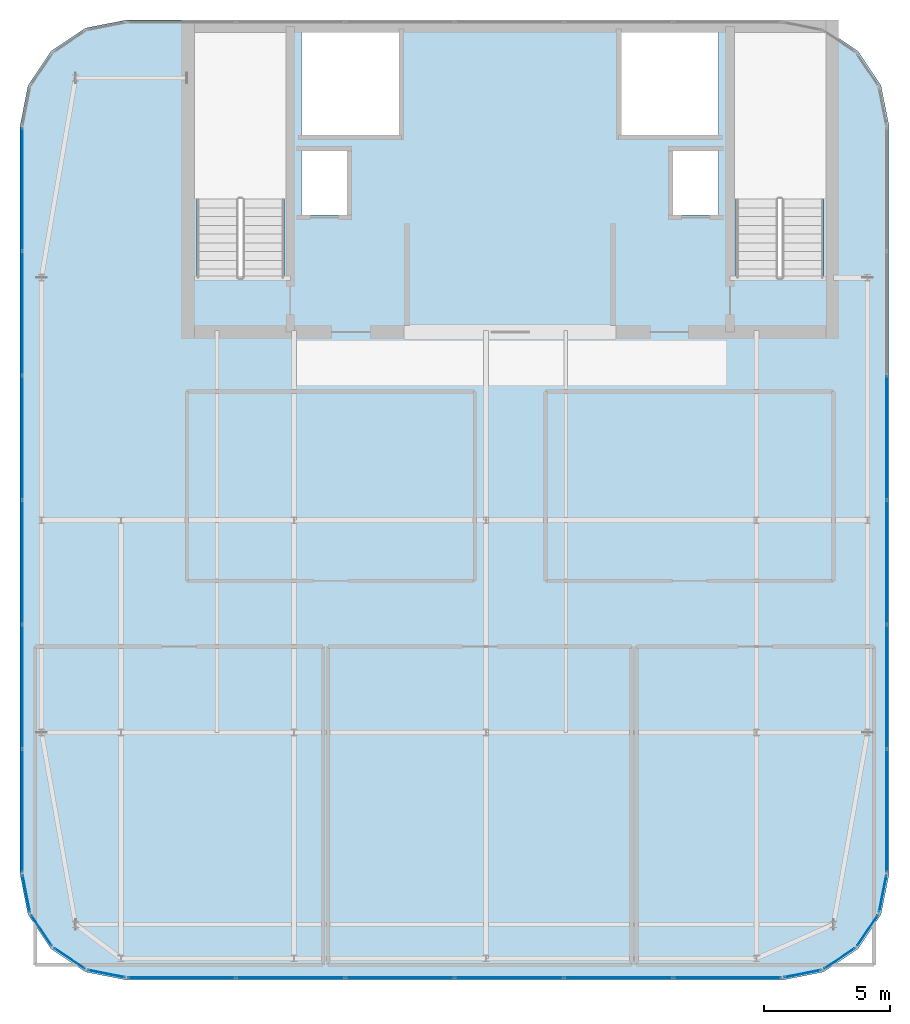
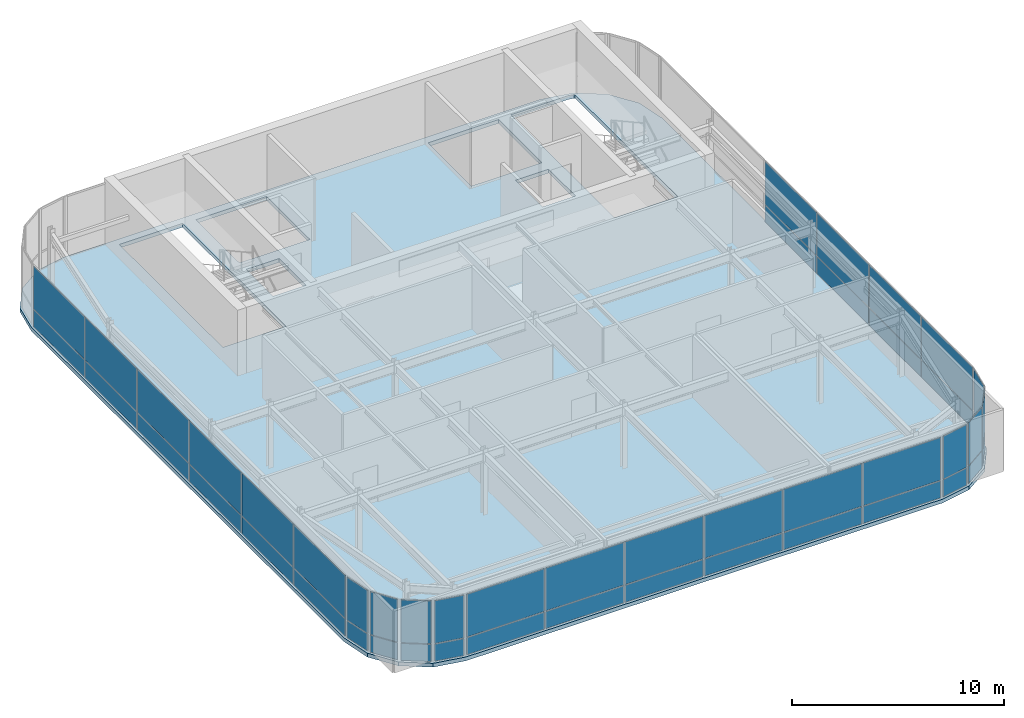
# One storey, part 29 of 36: 48 plates, 1 slab, 11 elements without a shape of their own.
"""IFC4 building model written with IfcOpenShell, lengths in metres."""

from ifc_helpers import new_model, si_unit, direction, frame, origin, origin_2d, place, context, subcontext, project, spatial, polyline, rectangle, outline, extrude, source, transform, mapped, material, layer, layer_set, type_object, type_shapes, element, aggregate, save


model = new_model("IFC4")

# Units and contexts
model_context = context("Model", 3, precision=1e-05, world=origin(), true_north=direction((0.0, 1.0)))
body_context = subcontext(model_context, "Body", "Model", "MODEL_VIEW")
ifc_project = project(units=[si_unit("LENGTHUNIT", "METRE"), si_unit("AREAUNIT", "SQUARE_METRE"), si_unit("VOLUMEUNIT", "CUBIC_METRE"), si_unit("PLANEANGLEUNIT", "RADIAN"), si_unit("MASSUNIT", "GRAM", prefix="KILO")], contexts=[model_context])

# Site, building, storey
site_placement = place(None, origin())
site = spatial("IfcSite", under=ifc_project, at=site_placement, CompositionType="ELEMENT")
building_placement = place(site_placement, origin())
building = spatial("IfcBuilding", under=site, at=building_placement, Name="Tolvann Quenvar Hotel", CompositionType="ELEMENT")
storey_placement = place(building_placement, frame((0.0, 0.0, 306.14990234375)))
storey = spatial("IfcBuildingStorey", under=building, at=storey_placement, Name="L81", CompositionType="ELEMENT", Elevation=306.14990234375)

# Slab
ifc_material_1 = material(Name="Concrete N50 (50 MPa)", Category="concrete")
ifc_layer_1 = layer(ifc_material_1, 0.219970703125)
ifc_layer_set_1 = layer_set([ifc_layer_1], Name="Concrete N50 (50 MPa)")
slab_type = type_object("IfcSlabType", Name="SLAB_UPR_220", PredefinedType="FLOOR", material=ifc_layer_set_1)
slab_placement = place(storey_placement, frame((0.0, 0.0, -0.219970703125)))
element("IfcSlab", 1, at=slab_placement, inside=storey, type_object=slab_type, Name="Level L81 Structural Floor Slab", PredefinedType="FLOOR", context=body_context, shape_type="SweptSolid", body=[
    extrude(outline(polyline([(3.60009765625, 10.39990234375), (3.919677734375, 8.792724609375), (4.830078125, 7.43017578125), (6.192626953125, 6.519775390625), (7.800048828125, 6.199951171875), (33.800048828125, 6.199951171875), (35.4072265625, 6.519775390625), (36.769775390625, 7.43017578125), (37.680419921875, 8.792724609375), (38.0, 10.39990234375), (38.0, 40.0), (37.680419921875, 41.607421875), (36.769775390625, 42.9697265625), (35.4072265625, 43.88037109375), (33.800048828125, 44.199951171875), (7.800048828125, 44.199951171875), (6.192626953125, 43.88037109375), (4.830078125, 42.9697265625), (3.919677734375, 41.607421875), (3.60009765625, 40.0), (3.60009765625, 10.39990234375)]), holes=[polyline([(35.093505859375, 43.800048828125), (35.352783203125, 43.748291015625), (35.39990234375, 43.716796875), (35.39990234375, 34.02490234375), (31.949951171875, 34.02490234375), (31.949951171875, 43.800048828125), (35.093505859375, 43.800048828125)]), polyline([(29.449951171875, 36.47998046875), (29.449951171875, 39.02001953125), (31.25, 39.02001953125), (31.25, 36.47998046875), (29.449951171875, 36.47998046875)]), polyline([(27.39990234375, 39.64990234375), (27.39990234375, 43.75), (31.25, 43.75), (31.25, 39.64990234375), (27.39990234375, 39.64990234375)]), polyline([(14.75, 39.64990234375), (14.75, 43.75), (18.60009765625, 43.75), (18.60009765625, 39.64990234375), (14.75, 39.64990234375)]), polyline([(16.550048828125, 36.47998046875), (14.75, 36.47998046875), (14.75, 39.02001953125), (16.550048828125, 39.02001953125), (16.550048828125, 36.47998046875)]), polyline([(14.050048828125, 34.02490234375), (10.60009765625, 34.02490234375), (10.60009765625, 43.800048828125), (14.050048828125, 43.800048828125), (14.050048828125, 34.02490234375)])]), origin(), (0.0, 0.0, 1.0), 0.219970703125),
])

# Curtain wall, plate
ifc_material_2 = material(Name="Thermally broken anodised architectural aluminium 6063-T6 and laminated low-E glass", Category="aluminium")
ifc_layer_2 = layer(ifc_material_2, 0.179931640625)
ifc_layer_set_2 = layer_set([ifc_layer_2], Name="Thermally broken anodised architectural aluminium 6063-T6 and laminated low-E glass")
curtain_wall_type = type_object("IfcCurtainWallType", Name="CW_SYS_LANT_06", PredefinedType="USERDEFINED", material=ifc_layer_set_2)
curtain_wall_1_placement = place(storey_placement, origin())
curtain_wall_1 = element("IfcCurtainWall", 2, at=curtain_wall_1_placement, inside=storey, type_object=curtain_wall_type, Name="Curtain Wall CW-LANT-06 (CWR-L81-E01)", ObjectType="UNITISED CURTAIN WALL", PredefinedType="USERDEFINED")
ifc_material_3 = material(Name="Diffused translucent ceramic-frit laminated lantern glass", Category="glass")
ifc_layer_3 = layer(ifc_material_3, 0.031982421875)
ifc_layer_set_3 = layer_set([ifc_layer_3], Name="Diffused translucent ceramic-frit laminated lantern glass")
plate_type = type_object("IfcPlateType", Name="CW_PAN_LANT_32", PredefinedType="CURTAIN_PANEL", material=ifc_layer_set_3)
shared_shape_1 = source(origin(), body_context, "Body", "SweptSolid", [
    extrude(rectangle(XDim=1.439208984375, YDim=0.031982421875, at=origin_2d()), origin(), (0.0, 0.0, 1.0), 0.97509765625),
])
plate_1_placement = place(storey_placement, frame((4.44970703125, 8.16162109375, 0.050048828125), z_axis=(0.0, 0.0, 1.0), x_axis=(0.555655769644, -0.831412452193, 0.0)))
plate_1 = element("IfcPlate", 3, at=plate_1_placement, type_object=plate_type, Name="CW-LANT-06 panel 1.1", PredefinedType="CURTAIN_PANEL", context=body_context, shape_type="MappedRepresentation", body=[
    mapped(shared_shape_1, transform((0.0, 0.0, 0.0), x_axis=(1.0, 0.0, 0.0), y_axis=(0.0, 1.0, 0.0), z_axis=(0.0, 0.0, 1.0), scale=1.0)),
])

curtain_wall_2_placement = place(storey_placement, origin())
curtain_wall_2 = element("IfcCurtainWall", 4, at=curtain_wall_2_placement, inside=storey, type_object=curtain_wall_type, Name="Curtain Wall CW-LANT-06 (CWR-L81-E02)", ObjectType="UNITISED CURTAIN WALL", PredefinedType="USERDEFINED")
plate_2_placement = place(storey_placement, frame((5.5615234375, 7.0498046875, 0.050048828125), z_axis=(0.0, 0.0, 1.0), x_axis=(0.831412452193, -0.555655769644, 0.0)))
plate_2 = element("IfcPlate", 5, at=plate_2_placement, type_object=plate_type, Name="CW-LANT-06 panel 1.1", PredefinedType="CURTAIN_PANEL", context=body_context, shape_type="MappedRepresentation", body=[
    mapped(shared_shape_1, transform((0.0, 0.0, 0.0), x_axis=(1.0, 0.0, 0.0), y_axis=(0.0, 1.0, 0.0), z_axis=(0.0, 0.0, 1.0), scale=1.0)),
])

curtain_wall_3_placement = place(storey_placement, origin())
curtain_wall_3 = element("IfcCurtainWall", 6, at=curtain_wall_3_placement, inside=storey, type_object=curtain_wall_type, Name="Curtain Wall CW-LANT-06 (CWR-L81-E06)", ObjectType="UNITISED CURTAIN WALL", PredefinedType="USERDEFINED")
plate_3_placement = place(storey_placement, frame((36.03857421875, 7.0498046875, 0.050048828125), z_axis=(0.0, 0.0, 1.0), x_axis=(0.831412452193, 0.555655769644, 0.0)))
plate_3 = element("IfcPlate", 7, at=plate_3_placement, type_object=plate_type, Name="CW-LANT-06 panel 1.1", PredefinedType="CURTAIN_PANEL", context=body_context, shape_type="MappedRepresentation", body=[
    mapped(shared_shape_1, transform((0.0, 0.0, 0.0), x_axis=(1.0, 0.0, 0.0), y_axis=(0.0, 1.0, 0.0), z_axis=(0.0, 0.0, 1.0), scale=1.0)),
])

curtain_wall_4_placement = place(storey_placement, origin())
curtain_wall_4 = element("IfcCurtainWall", 8, at=curtain_wall_4_placement, inside=storey, type_object=curtain_wall_type, Name="Curtain Wall CW-LANT-06 (CWR-L81-E07)", ObjectType="UNITISED CURTAIN WALL", PredefinedType="USERDEFINED")
plate_4_placement = place(storey_placement, frame((37.150146484375, 8.16162109375, 0.050048828125), z_axis=(0.0, 0.0, 1.0), x_axis=(0.555655769644, 0.831412452193, 0.0)))
plate_4 = element("IfcPlate", 9, at=plate_4_placement, type_object=plate_type, Name="CW-LANT-06 panel 1.1", PredefinedType="CURTAIN_PANEL", context=body_context, shape_type="MappedRepresentation", body=[
    mapped(shared_shape_1, transform((0.0, 0.0, 0.0), x_axis=(1.0, 0.0, 0.0), y_axis=(0.0, 1.0, 0.0), z_axis=(0.0, 0.0, 1.0), scale=1.0)),
])

# Plate
shared_shape_2 = source(origin(), body_context, "Body", "SweptSolid", [
    extrude(rectangle(XDim=1.439208984375, YDim=0.031982421875, at=origin_2d()), origin(), (0.0, 0.0, 1.0), 2.455078125),
])
plate_5_placement = place(storey_placement, frame((4.44970703125, 8.16162109375, 1.074951171875), z_axis=(0.0, 0.0, 1.0), x_axis=(0.555655769644, -0.831412452193, 0.0)))
plate_5 = element("IfcPlate", 10, at=plate_5_placement, type_object=plate_type, Name="CW-LANT-06 panel 1.2", PredefinedType="CURTAIN_PANEL", context=body_context, shape_type="MappedRepresentation", body=[
    mapped(shared_shape_2, transform((0.0, 0.0, 0.0), x_axis=(1.0, 0.0, 0.0), y_axis=(0.0, 1.0, 0.0), z_axis=(0.0, 0.0, 1.0), scale=1.0)),
])

aggregate(curtain_wall_1, [plate_1, plate_5])

plate_6_placement = place(storey_placement, frame((5.5615234375, 7.0498046875, 1.074951171875), z_axis=(0.0, 0.0, 1.0), x_axis=(0.831412452193, -0.555655769644, 0.0)))
plate_6 = element("IfcPlate", 11, at=plate_6_placement, type_object=plate_type, Name="CW-LANT-06 panel 1.2", PredefinedType="CURTAIN_PANEL", context=body_context, shape_type="MappedRepresentation", body=[
    mapped(shared_shape_2, transform((0.0, 0.0, 0.0), x_axis=(1.0, 0.0, 0.0), y_axis=(0.0, 1.0, 0.0), z_axis=(0.0, 0.0, 1.0), scale=1.0)),
])

aggregate(curtain_wall_2, [plate_2, plate_6])

plate_7_placement = place(storey_placement, frame((36.03857421875, 7.0498046875, 1.074951171875), z_axis=(0.0, 0.0, 1.0), x_axis=(0.831412452193, 0.555655769644, 0.0)))
plate_7 = element("IfcPlate", 12, at=plate_7_placement, type_object=plate_type, Name="CW-LANT-06 panel 1.2", PredefinedType="CURTAIN_PANEL", context=body_context, shape_type="MappedRepresentation", body=[
    mapped(shared_shape_2, transform((0.0, 0.0, 0.0), x_axis=(1.0, 0.0, 0.0), y_axis=(0.0, 1.0, 0.0), z_axis=(0.0, 0.0, 1.0), scale=1.0)),
])

aggregate(curtain_wall_3, [plate_3, plate_7])

plate_8_placement = place(storey_placement, frame((37.150146484375, 8.16162109375, 1.074951171875), z_axis=(0.0, 0.0, 1.0), x_axis=(0.555655769644, 0.831412452193, 0.0)))
plate_8 = element("IfcPlate", 13, at=plate_8_placement, type_object=plate_type, Name="CW-LANT-06 panel 1.2", PredefinedType="CURTAIN_PANEL", context=body_context, shape_type="MappedRepresentation", body=[
    mapped(shared_shape_2, transform((0.0, 0.0, 0.0), x_axis=(1.0, 0.0, 0.0), y_axis=(0.0, 1.0, 0.0), z_axis=(0.0, 0.0, 1.0), scale=1.0)),
])

aggregate(curtain_wall_4, [plate_4, plate_8])

# Curtain wall, plate
curtain_wall_5_placement = place(storey_placement, origin())
curtain_wall_5 = element("IfcCurtainWall", 14, at=curtain_wall_5_placement, inside=storey, type_object=curtain_wall_type, Name="Curtain Wall CW-LANT-06 (CWR-L81-E03)", ObjectType="UNITISED CURTAIN WALL", PredefinedType="USERDEFINED")
shared_shape_3 = source(origin(), body_context, "Body", "SweptSolid", [
    extrude(rectangle(XDim=1.456787109375, YDim=0.031982421875, at=origin_2d()), origin(), (0.0, 0.0, 1.0), 0.97509765625),
])
plate_9_placement = place(storey_placement, frame((7.0224609375, 6.4462890625, 0.050048828125), z_axis=(0.0, 0.0, 1.0), x_axis=(0.980790999222, -0.195061569369, 0.0)))
plate_9 = element("IfcPlate", 15, at=plate_9_placement, type_object=plate_type, Name="CW-LANT-06 panel 1.1", PredefinedType="CURTAIN_PANEL", context=body_context, shape_type="MappedRepresentation", body=[
    mapped(shared_shape_3, transform((0.0, 0.0, 0.0), x_axis=(1.0, 0.0, 0.0), y_axis=(0.0, 1.0, 0.0), z_axis=(0.0, 0.0, 1.0), scale=1.0)),
])

curtain_wall_6_placement = place(storey_placement, origin())
curtain_wall_6 = element("IfcCurtainWall", 16, at=curtain_wall_6_placement, inside=storey, type_object=curtain_wall_type, Name="Curtain Wall CW-LANT-06 (CWR-L81-E05)", ObjectType="UNITISED CURTAIN WALL", PredefinedType="USERDEFINED")
plate_10_placement = place(storey_placement, frame((34.577392578125, 6.4462890625, 0.050048828125), z_axis=(0.0, 0.0, 1.0), x_axis=(0.980790999222, 0.195061569369, 0.0)))
plate_10 = element("IfcPlate", 17, at=plate_10_placement, type_object=plate_type, Name="CW-LANT-06 panel 1.1", PredefinedType="CURTAIN_PANEL", context=body_context, shape_type="MappedRepresentation", body=[
    mapped(shared_shape_3, transform((0.0, 0.0, 0.0), x_axis=(1.0, 0.0, 0.0), y_axis=(0.0, 1.0, 0.0), z_axis=(0.0, 0.0, 1.0), scale=1.0)),
])

curtain_wall_7_placement = place(storey_placement, origin())
curtain_wall_7 = element("IfcCurtainWall", 18, at=curtain_wall_7_placement, inside=storey, type_object=curtain_wall_type, Name="Curtain Wall CW-LANT-06 (CWR-L81-E08)", ObjectType="UNITISED CURTAIN WALL", PredefinedType="USERDEFINED")
plate_11_placement = place(storey_placement, frame((37.753662109375, 9.62255859375, 0.050048828125), z_axis=(0.0, 0.0, 1.0), x_axis=(0.195061569369, 0.980790999222, 0.0)))
plate_11 = element("IfcPlate", 19, at=plate_11_placement, type_object=plate_type, Name="CW-LANT-06 panel 1.1", PredefinedType="CURTAIN_PANEL", context=body_context, shape_type="MappedRepresentation", body=[
    mapped(shared_shape_3, transform((0.0, 0.0, 0.0), x_axis=(1.0, 0.0, 0.0), y_axis=(0.0, 1.0, 0.0), z_axis=(0.0, 0.0, 1.0), scale=1.0)),
])

curtain_wall_8_placement = place(storey_placement, origin())
curtain_wall_8 = element("IfcCurtainWall", 20, at=curtain_wall_8_placement, inside=storey, type_object=curtain_wall_type, Name="Curtain Wall CW-LANT-06 (CWR-L81-E20)", ObjectType="UNITISED CURTAIN WALL", PredefinedType="USERDEFINED")
plate_12_placement = place(storey_placement, frame((3.846435546875, 9.62255859375, 0.050048828125), z_axis=(0.0, 0.0, 1.0), x_axis=(0.195061569369, -0.980790999222, 0.0)))
plate_12 = element("IfcPlate", 21, at=plate_12_placement, type_object=plate_type, Name="CW-LANT-06 panel 1.1", PredefinedType="CURTAIN_PANEL", context=body_context, shape_type="MappedRepresentation", body=[
    mapped(shared_shape_3, transform((0.0, 0.0, 0.0), x_axis=(1.0, 0.0, 0.0), y_axis=(0.0, 1.0, 0.0), z_axis=(0.0, 0.0, 1.0), scale=1.0)),
])

# Plate
shared_shape_4 = source(origin(), body_context, "Body", "SweptSolid", [
    extrude(rectangle(XDim=1.456787109375, YDim=0.031982421875, at=origin_2d()), origin(), (0.0, 0.0, 1.0), 2.455078125),
])
plate_13_placement = place(storey_placement, frame((7.0224609375, 6.4462890625, 1.074951171875), z_axis=(0.0, 0.0, 1.0), x_axis=(0.980790999222, -0.195061569369, 0.0)))
plate_13 = element("IfcPlate", 22, at=plate_13_placement, type_object=plate_type, Name="CW-LANT-06 panel 1.2", PredefinedType="CURTAIN_PANEL", context=body_context, shape_type="MappedRepresentation", body=[
    mapped(shared_shape_4, transform((0.0, 0.0, 0.0), x_axis=(1.0, 0.0, 0.0), y_axis=(0.0, 1.0, 0.0), z_axis=(0.0, 0.0, 1.0), scale=1.0)),
])

aggregate(curtain_wall_5, [plate_9, plate_13])

plate_14_placement = place(storey_placement, frame((34.577392578125, 6.4462890625, 1.074951171875), z_axis=(0.0, 0.0, 1.0), x_axis=(0.980790999222, 0.195061569369, 0.0)))
plate_14 = element("IfcPlate", 23, at=plate_14_placement, type_object=plate_type, Name="CW-LANT-06 panel 1.2", PredefinedType="CURTAIN_PANEL", context=body_context, shape_type="MappedRepresentation", body=[
    mapped(shared_shape_4, transform((0.0, 0.0, 0.0), x_axis=(1.0, 0.0, 0.0), y_axis=(0.0, 1.0, 0.0), z_axis=(0.0, 0.0, 1.0), scale=1.0)),
])

aggregate(curtain_wall_6, [plate_10, plate_14])

plate_15_placement = place(storey_placement, frame((37.753662109375, 9.62255859375, 1.074951171875), z_axis=(0.0, 0.0, 1.0), x_axis=(0.195061569369, 0.980790999222, 0.0)))
plate_15 = element("IfcPlate", 24, at=plate_15_placement, type_object=plate_type, Name="CW-LANT-06 panel 1.2", PredefinedType="CURTAIN_PANEL", context=body_context, shape_type="MappedRepresentation", body=[
    mapped(shared_shape_4, transform((0.0, 0.0, 0.0), x_axis=(1.0, 0.0, 0.0), y_axis=(0.0, 1.0, 0.0), z_axis=(0.0, 0.0, 1.0), scale=1.0)),
])

aggregate(curtain_wall_7, [plate_11, plate_15])

plate_16_placement = place(storey_placement, frame((3.846435546875, 9.62255859375, 1.074951171875), z_axis=(0.0, 0.0, 1.0), x_axis=(0.195061569369, -0.980790999222, 0.0)))
plate_16 = element("IfcPlate", 25, at=plate_16_placement, type_object=plate_type, Name="CW-LANT-06 panel 1.2", PredefinedType="CURTAIN_PANEL", context=body_context, shape_type="MappedRepresentation", body=[
    mapped(shared_shape_4, transform((0.0, 0.0, 0.0), x_axis=(1.0, 0.0, 0.0), y_axis=(0.0, 1.0, 0.0), z_axis=(0.0, 0.0, 1.0), scale=1.0)),
])

aggregate(curtain_wall_8, [plate_12, plate_16])

# Curtain wall, plates
curtain_wall_9_placement = place(storey_placement, origin())
curtain_wall_9 = element("IfcCurtainWall", 26, at=curtain_wall_9_placement, inside=storey, type_object=curtain_wall_type, Name="Curtain Wall CW-LANT-06 (CWR-L81-E04)", ObjectType="UNITISED CURTAIN WALL", PredefinedType="USERDEFINED")
shared_shape_5 = source(origin(), body_context, "Body", "SweptSolid", [
    extrude(rectangle(XDim=4.22998046875, YDim=0.031982421875, at=origin_2d()), origin(), (0.0, 0.0, 1.0), 0.97509765625),
])
plate_17_placement = place(storey_placement, frame((9.997314453125, 6.2900390625, 0.050048828125), z_axis=(0.0, 0.0, 1.0), x_axis=(1.0, 0.0, 0.0)))
plate_17 = element("IfcPlate", 27, at=plate_17_placement, type_object=plate_type, Name="CW-LANT-06 panel 1.1", PredefinedType="CURTAIN_PANEL", context=body_context, shape_type="MappedRepresentation", body=[
    mapped(shared_shape_5, transform((0.0, 0.0, 0.0), x_axis=(1.0, 0.0, 0.0), y_axis=(0.0, 1.0, 0.0), z_axis=(0.0, 0.0, 1.0), scale=1.0)),
])
plate_18_placement = place(storey_placement, frame((31.602783203125, 6.2900390625, 0.050048828125), z_axis=(0.0, 0.0, 1.0), x_axis=(1.0, 0.0, 0.0)))
plate_18 = element("IfcPlate", 28, at=plate_18_placement, type_object=plate_type, Name="CW-LANT-06 panel 6.1", PredefinedType="CURTAIN_PANEL", context=body_context, shape_type="MappedRepresentation", body=[
    mapped(shared_shape_5, transform((0.0, 0.0, 0.0), x_axis=(1.0, 0.0, 0.0), y_axis=(0.0, 1.0, 0.0), z_axis=(0.0, 0.0, 1.0), scale=1.0)),
])
shared_shape_6 = source(origin(), body_context, "Body", "SweptSolid", [
    extrude(rectangle(XDim=4.22998046875, YDim=0.031982421875, at=origin_2d()), origin(), (0.0, 0.0, 1.0), 2.455078125),
])
plate_19_placement = place(storey_placement, frame((9.997314453125, 6.2900390625, 1.074951171875), z_axis=(0.0, 0.0, 1.0), x_axis=(1.0, 0.0, 0.0)))
plate_19 = element("IfcPlate", 29, at=plate_19_placement, type_object=plate_type, Name="CW-LANT-06 panel 1.2", PredefinedType="CURTAIN_PANEL", context=body_context, shape_type="MappedRepresentation", body=[
    mapped(shared_shape_6, transform((0.0, 0.0, 0.0), x_axis=(1.0, 0.0, 0.0), y_axis=(0.0, 1.0, 0.0), z_axis=(0.0, 0.0, 1.0), scale=1.0)),
])
plate_20_placement = place(storey_placement, frame((31.602783203125, 6.2900390625, 1.074951171875), z_axis=(0.0, 0.0, 1.0), x_axis=(1.0, 0.0, 0.0)))
plate_20 = element("IfcPlate", 30, at=plate_20_placement, type_object=plate_type, Name="CW-LANT-06 panel 6.2", PredefinedType="CURTAIN_PANEL", context=body_context, shape_type="MappedRepresentation", body=[
    mapped(shared_shape_6, transform((0.0, 0.0, 0.0), x_axis=(1.0, 0.0, 0.0), y_axis=(0.0, 1.0, 0.0), z_axis=(0.0, 0.0, 1.0), scale=1.0)),
])
shared_shape_7 = source(origin(), body_context, "Body", "SweptSolid", [
    extrude(rectangle(XDim=4.2626953125, YDim=0.031982421875, at=origin_2d()), origin(), (0.0, 0.0, 1.0), 0.97509765625),
])
plate_21_placement = place(storey_placement, frame((14.30859375, 6.2900390625, 0.050048828125), z_axis=(0.0, 0.0, 1.0), x_axis=(1.0, 0.0, 0.0)))
plate_21 = element("IfcPlate", 31, at=plate_21_placement, type_object=plate_type, Name="CW-LANT-06 panel 2.1", PredefinedType="CURTAIN_PANEL", context=body_context, shape_type="MappedRepresentation", body=[
    mapped(shared_shape_7, transform((0.0, 0.0, 0.0), x_axis=(1.0, 0.0, 0.0), y_axis=(0.0, 1.0, 0.0), z_axis=(0.0, 0.0, 1.0), scale=1.0)),
])
plate_22_placement = place(storey_placement, frame((18.63623046875, 6.2900390625, 0.050048828125), z_axis=(0.0, 0.0, 1.0), x_axis=(1.0, 0.0, 0.0)))
plate_22 = element("IfcPlate", 32, at=plate_22_placement, type_object=plate_type, Name="CW-LANT-06 panel 3.1", PredefinedType="CURTAIN_PANEL", context=body_context, shape_type="MappedRepresentation", body=[
    mapped(shared_shape_7, transform((0.0, 0.0, 0.0), x_axis=(1.0, 0.0, 0.0), y_axis=(0.0, 1.0, 0.0), z_axis=(0.0, 0.0, 1.0), scale=1.0)),
])
plate_23_placement = place(storey_placement, frame((22.9638671875, 6.2900390625, 0.050048828125), z_axis=(0.0, 0.0, 1.0), x_axis=(1.0, 0.0, 0.0)))
plate_23 = element("IfcPlate", 33, at=plate_23_placement, type_object=plate_type, Name="CW-LANT-06 panel 4.1", PredefinedType="CURTAIN_PANEL", context=body_context, shape_type="MappedRepresentation", body=[
    mapped(shared_shape_7, transform((0.0, 0.0, 0.0), x_axis=(1.0, 0.0, 0.0), y_axis=(0.0, 1.0, 0.0), z_axis=(0.0, 0.0, 1.0), scale=1.0)),
])
plate_24_placement = place(storey_placement, frame((27.29150390625, 6.2900390625, 0.050048828125), z_axis=(0.0, 0.0, 1.0), x_axis=(1.0, 0.0, 0.0)))
plate_24 = element("IfcPlate", 34, at=plate_24_placement, type_object=plate_type, Name="CW-LANT-06 panel 5.1", PredefinedType="CURTAIN_PANEL", context=body_context, shape_type="MappedRepresentation", body=[
    mapped(shared_shape_7, transform((0.0, 0.0, 0.0), x_axis=(1.0, 0.0, 0.0), y_axis=(0.0, 1.0, 0.0), z_axis=(0.0, 0.0, 1.0), scale=1.0)),
])
shared_shape_8 = source(origin(), body_context, "Body", "SweptSolid", [
    extrude(rectangle(XDim=4.2626953125, YDim=0.031982421875, at=origin_2d()), origin(), (0.0, 0.0, 1.0), 2.455078125),
])
plate_25_placement = place(storey_placement, frame((14.30859375, 6.2900390625, 1.074951171875), z_axis=(0.0, 0.0, 1.0), x_axis=(1.0, 0.0, 0.0)))
plate_25 = element("IfcPlate", 35, at=plate_25_placement, type_object=plate_type, Name="CW-LANT-06 panel 2.2", PredefinedType="CURTAIN_PANEL", context=body_context, shape_type="MappedRepresentation", body=[
    mapped(shared_shape_8, transform((0.0, 0.0, 0.0), x_axis=(1.0, 0.0, 0.0), y_axis=(0.0, 1.0, 0.0), z_axis=(0.0, 0.0, 1.0), scale=1.0)),
])
plate_26_placement = place(storey_placement, frame((18.63623046875, 6.2900390625, 1.074951171875), z_axis=(0.0, 0.0, 1.0), x_axis=(1.0, 0.0, 0.0)))
plate_26 = element("IfcPlate", 36, at=plate_26_placement, type_object=plate_type, Name="CW-LANT-06 panel 3.2", PredefinedType="CURTAIN_PANEL", context=body_context, shape_type="MappedRepresentation", body=[
    mapped(shared_shape_8, transform((0.0, 0.0, 0.0), x_axis=(1.0, 0.0, 0.0), y_axis=(0.0, 1.0, 0.0), z_axis=(0.0, 0.0, 1.0), scale=1.0)),
])
plate_27_placement = place(storey_placement, frame((22.9638671875, 6.2900390625, 1.074951171875), z_axis=(0.0, 0.0, 1.0), x_axis=(1.0, 0.0, 0.0)))
plate_27 = element("IfcPlate", 37, at=plate_27_placement, type_object=plate_type, Name="CW-LANT-06 panel 4.2", PredefinedType="CURTAIN_PANEL", context=body_context, shape_type="MappedRepresentation", body=[
    mapped(shared_shape_8, transform((0.0, 0.0, 0.0), x_axis=(1.0, 0.0, 0.0), y_axis=(0.0, 1.0, 0.0), z_axis=(0.0, 0.0, 1.0), scale=1.0)),
])
plate_28_placement = place(storey_placement, frame((27.29150390625, 6.2900390625, 1.074951171875), z_axis=(0.0, 0.0, 1.0), x_axis=(1.0, 0.0, 0.0)))
plate_28 = element("IfcPlate", 38, at=plate_28_placement, type_object=plate_type, Name="CW-LANT-06 panel 5.2", PredefinedType="CURTAIN_PANEL", context=body_context, shape_type="MappedRepresentation", body=[
    mapped(shared_shape_8, transform((0.0, 0.0, 0.0), x_axis=(1.0, 0.0, 0.0), y_axis=(0.0, 1.0, 0.0), z_axis=(0.0, 0.0, 1.0), scale=1.0)),
])
aggregate(curtain_wall_9, [plate_17, plate_19, plate_21, plate_25, plate_22, plate_26, plate_23, plate_27, plate_24, plate_28, plate_18, plate_20])

# Curtain wall, plate
curtain_wall_10_placement = place(storey_placement, origin())
curtain_wall_10 = element("IfcCurtainWall", 39, at=curtain_wall_10_placement, inside=storey, type_object=curtain_wall_type, Name="Curtain Wall CW-LANT-06 (CWR-L81-E09)", ObjectType="UNITISED CURTAIN WALL", PredefinedType="USERDEFINED")
shared_shape_9 = source(origin(), body_context, "Body", "SweptSolid", [
    extrude(rectangle(XDim=4.830078125, YDim=0.031982421875, at=origin_2d()), origin(), (0.0, 0.0, 1.0), 0.97509765625),
])
plate_29_placement = place(storey_placement, frame((37.909912109375, 12.897216796875, 0.050048828125), z_axis=(0.0, 0.0, 1.0), x_axis=(0.0, 1.0, 0.0)))
plate_29 = element("IfcPlate", 40, at=plate_29_placement, type_object=plate_type, Name="CW-LANT-06 panel 1.1", PredefinedType="CURTAIN_PANEL", context=body_context, shape_type="MappedRepresentation", body=[
    mapped(shared_shape_9, transform((0.0, 0.0, 0.0), x_axis=(1.0, 0.0, 0.0), y_axis=(0.0, 1.0, 0.0), z_axis=(0.0, 0.0, 1.0), scale=1.0)),
])

# Curtain wall, plates
curtain_wall_11_placement = place(storey_placement, origin())
curtain_wall_11 = element("IfcCurtainWall", 41, at=curtain_wall_11_placement, inside=storey, type_object=curtain_wall_type, Name="Curtain Wall CW-LANT-06 (CWR-L81-E19)", ObjectType="UNITISED CURTAIN WALL", PredefinedType="USERDEFINED")
plate_30_placement = place(storey_placement, frame((3.68994140625, 37.502685546875, 0.050048828125), z_axis=(0.0, 0.0, 1.0), x_axis=(0.0, -1.0, 0.0)))
plate_30 = element("IfcPlate", 42, at=plate_30_placement, type_object=plate_type, Name="CW-LANT-06 panel 1.1", PredefinedType="CURTAIN_PANEL", context=body_context, shape_type="MappedRepresentation", body=[
    mapped(shared_shape_9, transform((0.0, 0.0, 0.0), x_axis=(1.0, 0.0, 0.0), y_axis=(0.0, 1.0, 0.0), z_axis=(0.0, 0.0, 1.0), scale=1.0)),
])
plate_31_placement = place(storey_placement, frame((3.68994140625, 12.897216796875, 0.050048828125), z_axis=(0.0, 0.0, 1.0), x_axis=(0.0, -1.0, 0.0)))
plate_31 = element("IfcPlate", 43, at=plate_31_placement, type_object=plate_type, Name="CW-LANT-06 panel 6.1", PredefinedType="CURTAIN_PANEL", context=body_context, shape_type="MappedRepresentation", body=[
    mapped(shared_shape_9, transform((0.0, 0.0, 0.0), x_axis=(1.0, 0.0, 0.0), y_axis=(0.0, 1.0, 0.0), z_axis=(0.0, 0.0, 1.0), scale=1.0)),
])

# Plate
shared_shape_10 = source(origin(), body_context, "Body", "SweptSolid", [
    extrude(rectangle(XDim=4.830078125, YDim=0.031982421875, at=origin_2d()), origin(), (0.0, 0.0, 1.0), 2.455078125),
])
plate_32_placement = place(storey_placement, frame((37.909912109375, 12.897216796875, 1.074951171875), z_axis=(0.0, 0.0, 1.0), x_axis=(0.0, 1.0, 0.0)))
plate_32 = element("IfcPlate", 44, at=plate_32_placement, type_object=plate_type, Name="CW-LANT-06 panel 1.2", PredefinedType="CURTAIN_PANEL", context=body_context, shape_type="MappedRepresentation", body=[
    mapped(shared_shape_10, transform((0.0, 0.0, 0.0), x_axis=(1.0, 0.0, 0.0), y_axis=(0.0, 1.0, 0.0), z_axis=(0.0, 0.0, 1.0), scale=1.0)),
])

plate_33_placement = place(storey_placement, frame((3.68994140625, 37.502685546875, 1.074951171875), z_axis=(0.0, 0.0, 1.0), x_axis=(0.0, -1.0, 0.0)))
plate_33 = element("IfcPlate", 45, at=plate_33_placement, type_object=plate_type, Name="CW-LANT-06 panel 1.2", PredefinedType="CURTAIN_PANEL", context=body_context, shape_type="MappedRepresentation", body=[
    mapped(shared_shape_10, transform((0.0, 0.0, 0.0), x_axis=(1.0, 0.0, 0.0), y_axis=(0.0, 1.0, 0.0), z_axis=(0.0, 0.0, 1.0), scale=1.0)),
])

plate_34_placement = place(storey_placement, frame((3.68994140625, 12.897216796875, 1.074951171875), z_axis=(0.0, 0.0, 1.0), x_axis=(0.0, -1.0, 0.0)))
plate_34 = element("IfcPlate", 46, at=plate_34_placement, type_object=plate_type, Name="CW-LANT-06 panel 6.2", PredefinedType="CURTAIN_PANEL", context=body_context, shape_type="MappedRepresentation", body=[
    mapped(shared_shape_10, transform((0.0, 0.0, 0.0), x_axis=(1.0, 0.0, 0.0), y_axis=(0.0, 1.0, 0.0), z_axis=(0.0, 0.0, 1.0), scale=1.0)),
])

shared_shape_11 = source(origin(), body_context, "Body", "SweptSolid", [
    extrude(rectangle(XDim=4.862548828125, YDim=0.031982421875, at=origin_2d()), origin(), (0.0, 0.0, 1.0), 0.97509765625),
])
plate_35_placement = place(storey_placement, frame((37.909912109375, 17.80859375, 0.050048828125), z_axis=(0.0, 0.0, 1.0), x_axis=(0.0, 1.0, 0.0)))
plate_35 = element("IfcPlate", 47, at=plate_35_placement, type_object=plate_type, Name="CW-LANT-06 panel 2.1", PredefinedType="CURTAIN_PANEL", context=body_context, shape_type="MappedRepresentation", body=[
    mapped(shared_shape_11, transform((0.0, 0.0, 0.0), x_axis=(1.0, 0.0, 0.0), y_axis=(0.0, 1.0, 0.0), z_axis=(0.0, 0.0, 1.0), scale=1.0)),
])

plate_36_placement = place(storey_placement, frame((37.909912109375, 22.736083984375, 0.050048828125), z_axis=(0.0, 0.0, 1.0), x_axis=(0.0, 1.0, 0.0)))
plate_36 = element("IfcPlate", 48, at=plate_36_placement, type_object=plate_type, Name="CW-LANT-06 panel 3.1", PredefinedType="CURTAIN_PANEL", context=body_context, shape_type="MappedRepresentation", body=[
    mapped(shared_shape_11, transform((0.0, 0.0, 0.0), x_axis=(1.0, 0.0, 0.0), y_axis=(0.0, 1.0, 0.0), z_axis=(0.0, 0.0, 1.0), scale=1.0)),
])

plate_37_placement = place(storey_placement, frame((37.909912109375, 27.663818359375, 0.050048828125), z_axis=(0.0, 0.0, 1.0), x_axis=(0.0, 1.0, 0.0)))
plate_37 = element("IfcPlate", 49, at=plate_37_placement, type_object=plate_type, Name="CW-LANT-06 panel 4.1", PredefinedType="CURTAIN_PANEL", context=body_context, shape_type="MappedRepresentation", body=[
    mapped(shared_shape_11, transform((0.0, 0.0, 0.0), x_axis=(1.0, 0.0, 0.0), y_axis=(0.0, 1.0, 0.0), z_axis=(0.0, 0.0, 1.0), scale=1.0)),
])

plate_38_placement = place(storey_placement, frame((3.68994140625, 32.59130859375, 0.050048828125), z_axis=(0.0, 0.0, 1.0), x_axis=(0.0, -1.0, 0.0)))
plate_38 = element("IfcPlate", 50, at=plate_38_placement, type_object=plate_type, Name="CW-LANT-06 panel 2.1", PredefinedType="CURTAIN_PANEL", context=body_context, shape_type="MappedRepresentation", body=[
    mapped(shared_shape_11, transform((0.0, 0.0, 0.0), x_axis=(1.0, 0.0, 0.0), y_axis=(0.0, 1.0, 0.0), z_axis=(0.0, 0.0, 1.0), scale=1.0)),
])

plate_39_placement = place(storey_placement, frame((3.68994140625, 27.663818359375, 0.050048828125), z_axis=(0.0, 0.0, 1.0), x_axis=(0.0, -1.0, 0.0)))
plate_39 = element("IfcPlate", 51, at=plate_39_placement, type_object=plate_type, Name="CW-LANT-06 panel 3.1", PredefinedType="CURTAIN_PANEL", context=body_context, shape_type="MappedRepresentation", body=[
    mapped(shared_shape_11, transform((0.0, 0.0, 0.0), x_axis=(1.0, 0.0, 0.0), y_axis=(0.0, 1.0, 0.0), z_axis=(0.0, 0.0, 1.0), scale=1.0)),
])

plate_40_placement = place(storey_placement, frame((3.68994140625, 22.736083984375, 0.050048828125), z_axis=(0.0, 0.0, 1.0), x_axis=(0.0, -1.0, 0.0)))
plate_40 = element("IfcPlate", 52, at=plate_40_placement, type_object=plate_type, Name="CW-LANT-06 panel 4.1", PredefinedType="CURTAIN_PANEL", context=body_context, shape_type="MappedRepresentation", body=[
    mapped(shared_shape_11, transform((0.0, 0.0, 0.0), x_axis=(1.0, 0.0, 0.0), y_axis=(0.0, 1.0, 0.0), z_axis=(0.0, 0.0, 1.0), scale=1.0)),
])

plate_41_placement = place(storey_placement, frame((3.68994140625, 17.80859375, 0.050048828125), z_axis=(0.0, 0.0, 1.0), x_axis=(0.0, -1.0, 0.0)))
plate_41 = element("IfcPlate", 53, at=plate_41_placement, type_object=plate_type, Name="CW-LANT-06 panel 5.1", PredefinedType="CURTAIN_PANEL", context=body_context, shape_type="MappedRepresentation", body=[
    mapped(shared_shape_11, transform((0.0, 0.0, 0.0), x_axis=(1.0, 0.0, 0.0), y_axis=(0.0, 1.0, 0.0), z_axis=(0.0, 0.0, 1.0), scale=1.0)),
])

shared_shape_12 = source(origin(), body_context, "Body", "SweptSolid", [
    extrude(rectangle(XDim=4.862548828125, YDim=0.031982421875, at=origin_2d()), origin(), (0.0, 0.0, 1.0), 2.455078125),
])
type_shapes(plate_type, [shared_shape_1, shared_shape_2, shared_shape_3, shared_shape_4, shared_shape_5, shared_shape_6, shared_shape_7, shared_shape_8, shared_shape_9, shared_shape_10, shared_shape_11, shared_shape_12])
plate_42_placement = place(storey_placement, frame((37.909912109375, 17.80859375, 1.074951171875), z_axis=(0.0, 0.0, 1.0), x_axis=(0.0, 1.0, 0.0)))
plate_42 = element("IfcPlate", 54, at=plate_42_placement, type_object=plate_type, Name="CW-LANT-06 panel 2.2", PredefinedType="CURTAIN_PANEL", context=body_context, shape_type="MappedRepresentation", body=[
    mapped(shared_shape_12, transform((0.0, 0.0, 0.0), x_axis=(1.0, 0.0, 0.0), y_axis=(0.0, 1.0, 0.0), z_axis=(0.0, 0.0, 1.0), scale=1.0)),
])

plate_43_placement = place(storey_placement, frame((37.909912109375, 22.736083984375, 1.074951171875), z_axis=(0.0, 0.0, 1.0), x_axis=(0.0, 1.0, 0.0)))
plate_43 = element("IfcPlate", 55, at=plate_43_placement, type_object=plate_type, Name="CW-LANT-06 panel 3.2", PredefinedType="CURTAIN_PANEL", context=body_context, shape_type="MappedRepresentation", body=[
    mapped(shared_shape_12, transform((0.0, 0.0, 0.0), x_axis=(1.0, 0.0, 0.0), y_axis=(0.0, 1.0, 0.0), z_axis=(0.0, 0.0, 1.0), scale=1.0)),
])

plate_44_placement = place(storey_placement, frame((37.909912109375, 27.663818359375, 1.074951171875), z_axis=(0.0, 0.0, 1.0), x_axis=(0.0, 1.0, 0.0)))
plate_44 = element("IfcPlate", 56, at=plate_44_placement, type_object=plate_type, Name="CW-LANT-06 panel 4.2", PredefinedType="CURTAIN_PANEL", context=body_context, shape_type="MappedRepresentation", body=[
    mapped(shared_shape_12, transform((0.0, 0.0, 0.0), x_axis=(1.0, 0.0, 0.0), y_axis=(0.0, 1.0, 0.0), z_axis=(0.0, 0.0, 1.0), scale=1.0)),
])

aggregate(curtain_wall_10, [plate_29, plate_32, plate_35, plate_42, plate_36, plate_43, plate_37, plate_44])

plate_45_placement = place(storey_placement, frame((3.68994140625, 32.59130859375, 1.074951171875), z_axis=(0.0, 0.0, 1.0), x_axis=(0.0, -1.0, 0.0)))
plate_45 = element("IfcPlate", 57, at=plate_45_placement, type_object=plate_type, Name="CW-LANT-06 panel 2.2", PredefinedType="CURTAIN_PANEL", context=body_context, shape_type="MappedRepresentation", body=[
    mapped(shared_shape_12, transform((0.0, 0.0, 0.0), x_axis=(1.0, 0.0, 0.0), y_axis=(0.0, 1.0, 0.0), z_axis=(0.0, 0.0, 1.0), scale=1.0)),
])

plate_46_placement = place(storey_placement, frame((3.68994140625, 27.663818359375, 1.074951171875), z_axis=(0.0, 0.0, 1.0), x_axis=(0.0, -1.0, 0.0)))
plate_46 = element("IfcPlate", 58, at=plate_46_placement, type_object=plate_type, Name="CW-LANT-06 panel 3.2", PredefinedType="CURTAIN_PANEL", context=body_context, shape_type="MappedRepresentation", body=[
    mapped(shared_shape_12, transform((0.0, 0.0, 0.0), x_axis=(1.0, 0.0, 0.0), y_axis=(0.0, 1.0, 0.0), z_axis=(0.0, 0.0, 1.0), scale=1.0)),
])

plate_47_placement = place(storey_placement, frame((3.68994140625, 22.736083984375, 1.074951171875), z_axis=(0.0, 0.0, 1.0), x_axis=(0.0, -1.0, 0.0)))
plate_47 = element("IfcPlate", 59, at=plate_47_placement, type_object=plate_type, Name="CW-LANT-06 panel 4.2", PredefinedType="CURTAIN_PANEL", context=body_context, shape_type="MappedRepresentation", body=[
    mapped(shared_shape_12, transform((0.0, 0.0, 0.0), x_axis=(1.0, 0.0, 0.0), y_axis=(0.0, 1.0, 0.0), z_axis=(0.0, 0.0, 1.0), scale=1.0)),
])

plate_48_placement = place(storey_placement, frame((3.68994140625, 17.80859375, 1.074951171875), z_axis=(0.0, 0.0, 1.0), x_axis=(0.0, -1.0, 0.0)))
plate_48 = element("IfcPlate", 60, at=plate_48_placement, type_object=plate_type, Name="CW-LANT-06 panel 5.2", PredefinedType="CURTAIN_PANEL", context=body_context, shape_type="MappedRepresentation", body=[
    mapped(shared_shape_12, transform((0.0, 0.0, 0.0), x_axis=(1.0, 0.0, 0.0), y_axis=(0.0, 1.0, 0.0), z_axis=(0.0, 0.0, 1.0), scale=1.0)),
])

aggregate(curtain_wall_11, [plate_30, plate_33, plate_38, plate_45, plate_39, plate_46, plate_40, plate_47, plate_41, plate_48, plate_31, plate_34])

save(model, "model.ifc")
